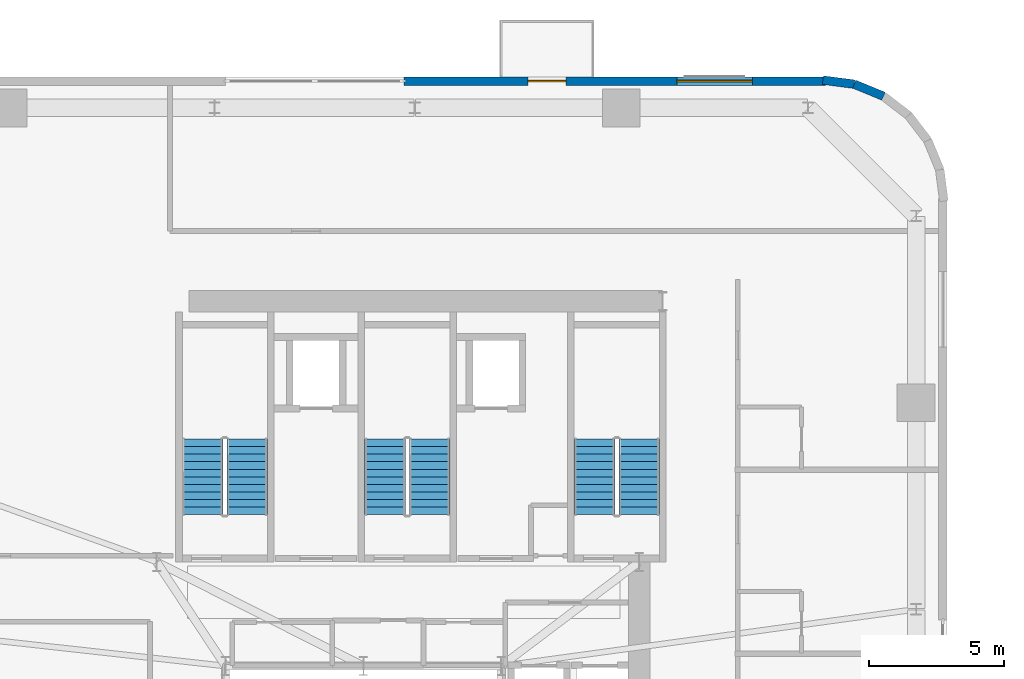
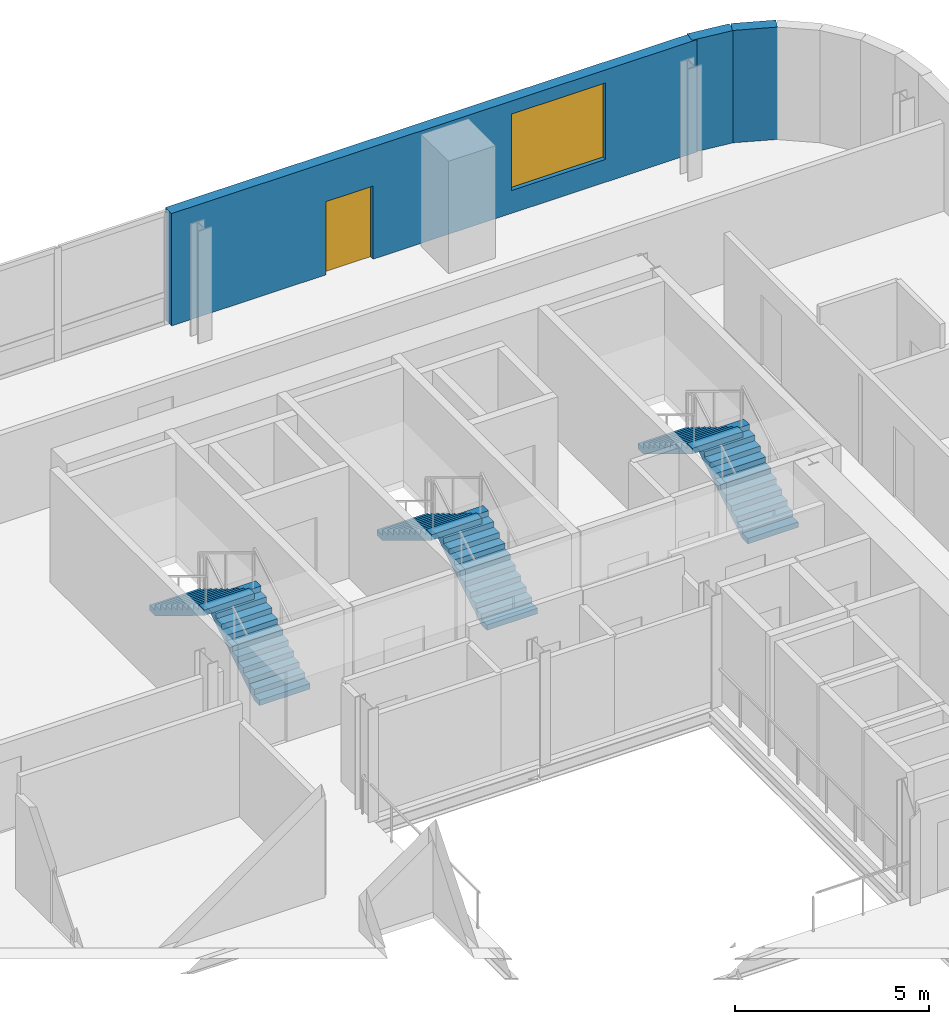
# One storey, part 11 of 13: 6 stair flights, 3 walls, 1 door, 1 window, 2 openings, 3 elements without a shape of their own.
"""IFC4 building model written with IfcOpenShell, lengths in metres."""

from ifc_helpers import new_model, si_unit, direction, frame, frame_2d, origin, place, context, subcontext, project, spatial, polyline, rectangle, outline, extrude, source, transform, mapped, material, layer, layer_set, type_object, element, fill, aggregate, save


model = new_model("IFC4")

# Units and contexts
model_context = context("Model", 3, precision=1e-05, world=origin(), true_north=direction((0.0, 1.0)))
body_context = subcontext(model_context, "Body", "Model", "MODEL_VIEW")
ifc_project = project(units=[si_unit("LENGTHUNIT", "METRE"), si_unit("AREAUNIT", "SQUARE_METRE"), si_unit("VOLUMEUNIT", "CUBIC_METRE"), si_unit("PLANEANGLEUNIT", "RADIAN"), si_unit("MASSUNIT", "GRAM", prefix="KILO")], contexts=[model_context])

# Site, building, storey
site_placement = place(None, origin())
site = spatial("IfcSite", under=ifc_project, at=site_placement, CompositionType="ELEMENT")
building_placement = place(site_placement, origin())
building = spatial("IfcBuilding", under=site, at=building_placement, Name="Vardaveli Station Tower", CompositionType="ELEMENT")
storey_placement = place(building_placement, frame((0.0, 0.0, 196.050048828125)))
storey = spatial("IfcBuildingStorey", under=building, at=storey_placement, Name="L50", CompositionType="ELEMENT", Elevation=196.050048828125)

# Wall, openings, door, window
ifc_material_1 = material(Name="Precast concrete C45/55", Category="concrete")
ifc_layer = layer(ifc_material_1, 0.320068359375, Name="Precast concrete C45/55")
ifc_layer_set = layer_set([ifc_layer], Name="Precast concrete C45/55")
wall_type = type_object("IfcWallType", Name="WAL-EXT-STONE-320", PredefinedType="SOLIDWALL", material=ifc_layer_set)
shared_shape_1 = source(origin(), body_context, "Body", "SweptSolid", [
    extrude(rectangle(XDim=15.599853515625, YDim=0.320068359375, at=frame_2d((7.7998046875, 0.0))), origin(), (0.0, 0.0, 1.0), 3.530029296875),
])
wall_1_placement = place(storey_placement, frame((53.39990234375, 48.43994140625, 0.0), z_axis=(0.0, 0.0, 1.0), x_axis=(-1.0, 0.0, 0.0)))
wall_1 = element("IfcWall", 1, at=wall_1_placement, inside=storey, type_object=wall_type, Name="EW-L50-N1", PredefinedType="SOLIDWALL", context=body_context, shape_type="MappedRepresentation", body=[
    mapped(shared_shape_1, transform((0.0, 0.0, 0.0), scale=1.0)),
])
shared_shape_2 = source(origin(), body_context, "Body", "SweptSolid", [
    extrude(rectangle(XDim=1.39990234375, YDim=2.300048828125, at=frame_2d((0.699951171875, 1.14990234375))), frame((0.0, 0.169921875, 0.0), z_axis=(0.0, -1.0, 0.0), x_axis=(1.0, 0.0, 0.0)), (0.0, 0.0, 1.0), 0.340087890625),
])
opening_1_placement = place(wall_1_placement, frame((9.6103515625, 0.0, 0.0)))
opening_1 = element("IfcOpeningElement", 2, at=opening_1_placement, cuts=wall_1, Name="Opening D-09", PredefinedType="OPENING", context=body_context, shape_type="MappedRepresentation", body=[
    mapped(shared_shape_2, transform((0.0, 0.0, 0.0), scale=1.0)),
])
shared_shape_3 = source(origin(), body_context, "Body", "SweptSolid", [
    extrude(rectangle(XDim=2.800048828125, YDim=2.39990234375, at=frame_2d((1.39990234375, 1.199951171875))), frame((0.0, 0.169921875, 0.0), z_axis=(0.0, -1.0, 0.0), x_axis=(1.0, 0.0, 0.0)), (0.0, 0.0, 1.0), 0.340087890625),
])
opening_2_placement = place(wall_1_placement, frame((2.705078125, 0.0, 0.719970703125)))
opening_2 = element("IfcOpeningElement", 3, at=opening_2_placement, cuts=wall_1, Name="Opening W-04", PredefinedType="OPENING", context=body_context, shape_type="MappedRepresentation", body=[
    mapped(shared_shape_3, transform((0.0, 0.0, 0.0), scale=1.0)),
])
ifc_material_2 = material(Name="Thermally broken aluminium glass", Category="aluminium")
door_type = type_object("IfcDoorType", Name="DR-LOG-1400x2300", OperationType="DOUBLE_DOOR_SLIDING", PredefinedType="DOOR", material=ifc_material_2)
shared_shape_4 = source(origin(), body_context, "Body", "SweptSolid", [
    extrude(rectangle(XDim=1.39990234375, YDim=2.300048828125, at=frame_2d((0.699951171875, 1.14990234375))), frame((0.0, 0.02490234375, 0.0), z_axis=(0.0, -1.0, 0.0), x_axis=(1.0, 0.0, 0.0)), (0.0, 0.0, 1.0), 0.050048828125),
])
door_placement = place(opening_1_placement, frame((1.39990234375, 0.0, 0.0), z_axis=(0.0, 0.0, 1.0), x_axis=(-1.0, 0.0, 0.0)))
door = element("IfcDoor", 4, at=door_placement, inside=storey, type_object=door_type, Name="DLG-L50-N", OperationType="DOUBLE_DOOR_SLIDING", OverallHeight=2.300048828125, OverallWidth=1.39990234375, PredefinedType="DOOR", context=body_context, shape_type="MappedRepresentation", body=[
    mapped(shared_shape_4, transform((0.0, 0.0, 0.0), scale=1.0)),
])
fill(opening_1, door)
ifc_material_3 = material(Name="Low-E solar-control glass", Category="glass")
window_type = type_object("IfcWindowType", Name="WIN-SUITE-2800x2400", PartitioningType="SINGLE_PANEL", PredefinedType="WINDOW", material=ifc_material_3)
shared_shape_5 = source(origin(), body_context, "Body", "SweptSolid", [
    extrude(rectangle(XDim=2.800048828125, YDim=2.39990234375, at=frame_2d((1.39990234375, 1.199951171875))), frame((0.0, 0.030029296875, 0.0), z_axis=(0.0, -1.0, 0.0), x_axis=(1.0, 0.0, 0.0)), (0.0, 0.0, 1.0), 0.06005859375),
])
window_placement = place(opening_2_placement, origin())
window = element("IfcWindow", 5, at=window_placement, inside=storey, type_object=window_type, Name="WN-L50-N1", OverallHeight=2.39990234375, OverallWidth=2.800048828125, PartitioningType="SINGLE_PANEL", PredefinedType="WINDOW", context=body_context, shape_type="MappedRepresentation", body=[
    mapped(shared_shape_5, transform((0.0, 0.0, 0.0), scale=1.0)),
])
fill(opening_2, window)

# Walls
shared_shape_6 = source(origin(), body_context, "Body", "SweptSolid", [
    extrude(rectangle(XDim=1.17041015625, YDim=0.320068359375, at=frame_2d((0.585205078125, 0.0))), origin(), (0.0, 0.0, 1.0), 3.530029296875),
])
wall_2_placement = place(storey_placement, frame((54.460205078125, 48.325439453125, 0.0), z_axis=(0.0, 0.0, 1.0), x_axis=(-0.991735963317, 0.128295670475, 0.0)))
element("IfcWall", 6, at=wall_2_placement, inside=storey, type_object=wall_type, Name="EW-L50-CR3-6", PredefinedType="SOLIDWALL", context=body_context, shape_type="MappedRepresentation", body=[
    mapped(shared_shape_6, transform((0.0, 0.0, 0.0), scale=1.0)),
])
shared_shape_7 = source(origin(), body_context, "Body", "SweptSolid", [
    extrude(rectangle(XDim=1.169189453125, YDim=0.320068359375, at=frame_2d((0.58447265625, 0.0))), origin(), (0.0, 0.0, 1.0), 3.530029296875),
])
wall_3_placement = place(storey_placement, frame((55.541259765625, 47.8798828125, 0.0), z_axis=(0.0, 0.0, 1.0), x_axis=(-0.924552646638, 0.381054331552, 0.0)))
element("IfcWall", 7, at=wall_3_placement, inside=storey, type_object=wall_type, Name="EW-L50-CR3-5", PredefinedType="SOLIDWALL", context=body_context, shape_type="MappedRepresentation", body=[
    mapped(shared_shape_7, transform((0.0, 0.0, 0.0), scale=1.0)),
])

# Stair, stair flights
ifc_material_4 = material(Name="Concrete C40/50", Category="concrete")
stair_type = type_object("IfcStairType", Name="STR-CORE-1500", PredefinedType="HALF_TURN_STAIR", material=ifc_material_4)
stair_1_placement = place(storey_placement, origin())
stair_1 = element("IfcStair", 8, at=stair_1_placement, inside=storey, type_object=stair_type, Name="L50 ST-1", PredefinedType="HALF_TURN_STAIR")
stair_flight_type = type_object("IfcStairFlightType", Name="SFL-CORE-1500", PredefinedType="STRAIGHT", material=ifc_material_4)
shared_shape_8 = source(origin(), body_context, "Body", "SweptSolid", [
    extrude(outline(polyline([(0.0, 0.0), (0.0, 0.17041015625), (0.280029296875, 0.17041015625), (0.280029296875, 0.3408203125), (0.56005859375, 0.3408203125), (0.56005859375, 0.511474609375), (0.840087890625, 0.511474609375), (0.840087890625, 0.681884765625), (1.1201171875, 0.681884765625), (1.1201171875, 0.852294921875), (1.39990234375, 0.852294921875), (1.39990234375, 1.022705078125), (1.679931640625, 1.022705078125), (1.679931640625, 1.193115234375), (1.9599609375, 1.193115234375), (1.9599609375, 1.363525390625), (2.239990234375, 1.363525390625), (2.239990234375, 1.5341796875), (2.52001953125, 1.5341796875), (2.52001953125, 1.70458984375), (2.800048828125, 1.70458984375), (2.800048828125, 1.875), (2.800048828125, 1.529052734375), (0.288330078125, 0.0), (0.0, 0.0)])), frame((0.0, 0.75, 0.0), z_axis=(0.0, -1.0, 0.0), x_axis=(1.0, 0.0, 0.0)), (0.0, 0.0, 1.0), 1.5),
])
stair_flight_1_placement = place(storey_placement, frame((32.0, 32.39990234375, 0.0), z_axis=(0.0, 0.0, 1.0), x_axis=(0.0, 1.0, 0.0)))
stair_flight_1 = element("IfcStairFlight", 9, at=stair_flight_1_placement, type_object=stair_flight_type, Name="ST-1 flight 1", NumberOfRisers=11, NumberOfTreads=10, PredefinedType="STRAIGHT", RiserHeight=0.170454545, TreadLength=0.28, context=body_context, shape_type="MappedRepresentation", body=[
    mapped(shared_shape_8, transform((0.0, 0.0, 0.0), scale=1.0)),
])
stair_flight_2_placement = place(storey_placement, frame((30.35009765625, 35.199951171875, 1.875), z_axis=(0.0, 0.0, 1.0), x_axis=(0.0, -1.0, 0.0)))
stair_flight_2 = element("IfcStairFlight", 10, at=stair_flight_2_placement, type_object=stair_flight_type, Name="ST-1 flight 2", NumberOfRisers=11, NumberOfTreads=10, PredefinedType="STRAIGHT", RiserHeight=0.170454545, TreadLength=0.28, context=body_context, shape_type="MappedRepresentation", body=[
    mapped(shared_shape_8, transform((0.0, 0.0, 0.0), scale=1.0)),
])
aggregate(stair_1, [stair_flight_1, stair_flight_2])

stair_2_placement = place(storey_placement, origin())
stair_2 = element("IfcStair", 11, at=stair_2_placement, inside=storey, type_object=stair_type, Name="L50 ST-2", PredefinedType="HALF_TURN_STAIR")
stair_flight_3_placement = place(storey_placement, frame((38.75, 32.39990234375, 0.0), z_axis=(0.0, 0.0, 1.0), x_axis=(0.0, 1.0, 0.0)))
stair_flight_3 = element("IfcStairFlight", 12, at=stair_flight_3_placement, type_object=stair_flight_type, Name="ST-2 flight 1", NumberOfRisers=11, NumberOfTreads=10, PredefinedType="STRAIGHT", RiserHeight=0.170454545, TreadLength=0.28, context=body_context, shape_type="MappedRepresentation", body=[
    mapped(shared_shape_8, transform((0.0, 0.0, 0.0), scale=1.0)),
])
stair_flight_4_placement = place(storey_placement, frame((37.10009765625, 35.199951171875, 1.875), z_axis=(0.0, 0.0, 1.0), x_axis=(0.0, -1.0, 0.0)))
stair_flight_4 = element("IfcStairFlight", 13, at=stair_flight_4_placement, type_object=stair_flight_type, Name="ST-2 flight 2", NumberOfRisers=11, NumberOfTreads=10, PredefinedType="STRAIGHT", RiserHeight=0.170454545, TreadLength=0.28, context=body_context, shape_type="MappedRepresentation", body=[
    mapped(shared_shape_8, transform((0.0, 0.0, 0.0), scale=1.0)),
])
aggregate(stair_2, [stair_flight_3, stair_flight_4])

stair_3_placement = place(storey_placement, origin())
stair_3 = element("IfcStair", 14, at=stair_3_placement, inside=storey, type_object=stair_type, Name="L50 ST-3", PredefinedType="HALF_TURN_STAIR")
stair_flight_5_placement = place(storey_placement, frame((46.5, 32.39990234375, 0.0), z_axis=(0.0, 0.0, 1.0), x_axis=(0.0, 1.0, 0.0)))
stair_flight_5 = element("IfcStairFlight", 15, at=stair_flight_5_placement, type_object=stair_flight_type, Name="ST-3 flight 1", NumberOfRisers=11, NumberOfTreads=10, PredefinedType="STRAIGHT", RiserHeight=0.170454545, TreadLength=0.28, context=body_context, shape_type="MappedRepresentation", body=[
    mapped(shared_shape_8, transform((0.0, 0.0, 0.0), scale=1.0)),
])
stair_flight_6_placement = place(storey_placement, frame((44.85009765625, 35.199951171875, 1.875), z_axis=(0.0, 0.0, 1.0), x_axis=(0.0, -1.0, 0.0)))
stair_flight_6 = element("IfcStairFlight", 16, at=stair_flight_6_placement, type_object=stair_flight_type, Name="ST-3 flight 2", NumberOfRisers=11, NumberOfTreads=10, PredefinedType="STRAIGHT", RiserHeight=0.170454545, TreadLength=0.28, context=body_context, shape_type="MappedRepresentation", body=[
    mapped(shared_shape_8, transform((0.0, 0.0, 0.0), scale=1.0)),
])
aggregate(stair_3, [stair_flight_5, stair_flight_6])

save(model, "model.ifc")
